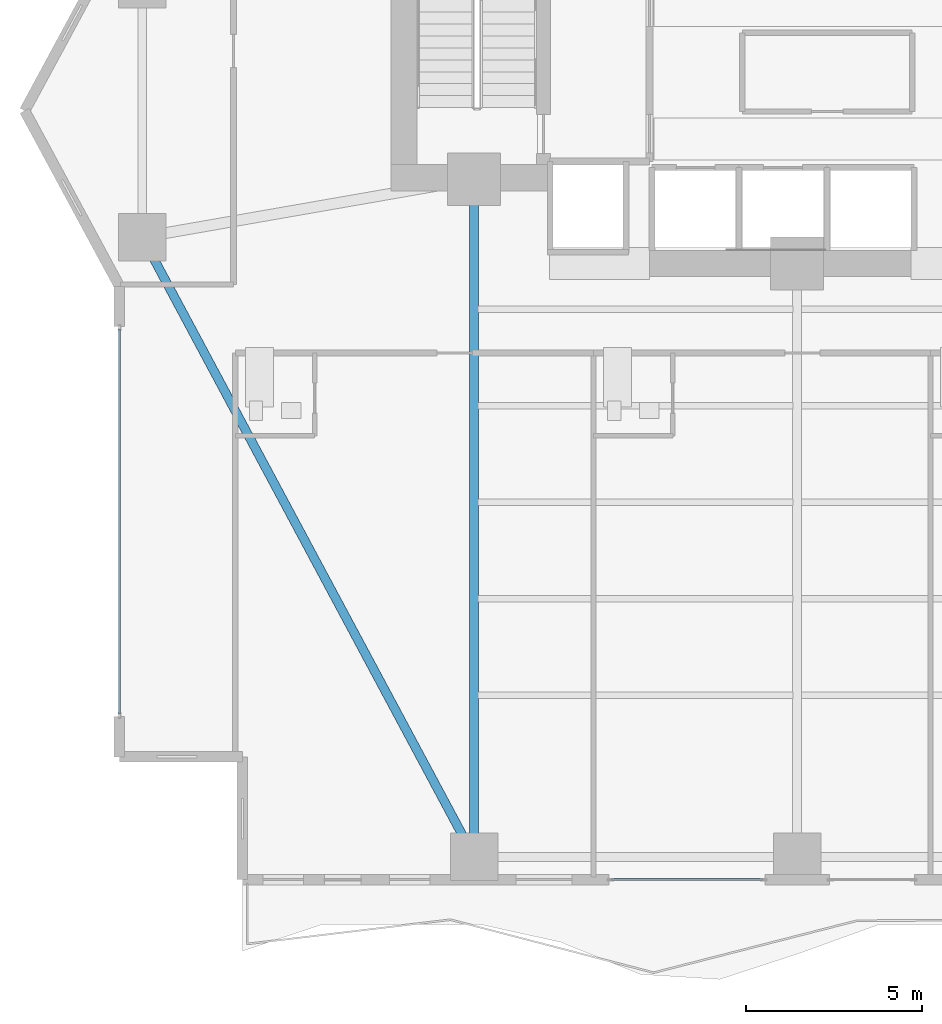
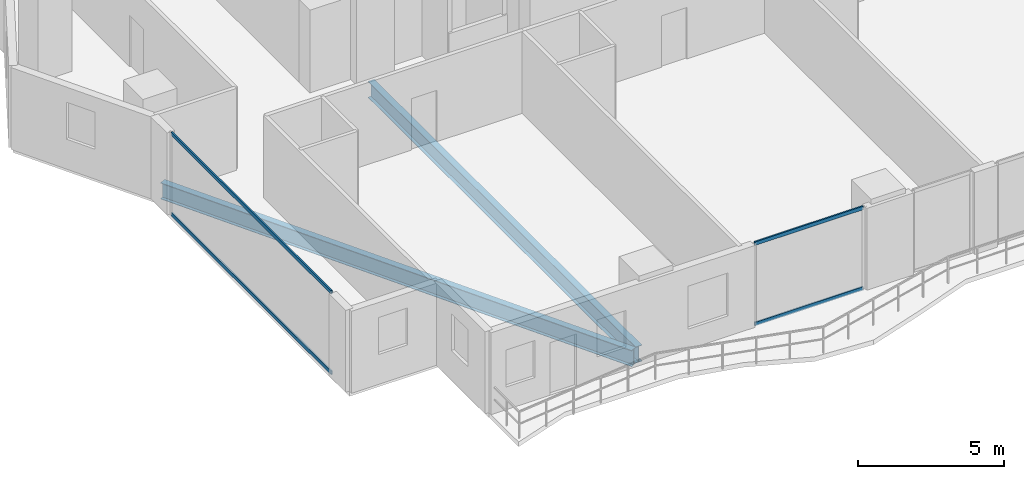
# One storey, part 3 of 28: 4 members, 2 beams, 2 elements without a shape of their own.
"""IFC4 building model written with IfcOpenShell, lengths in metres."""

from ifc_helpers import new_model, si_unit, direction, frame, origin, origin_2d, place, context, subcontext, project, spatial, hollow_rectangle, i_section, extrude, material, layer, layer_set, material_profile, profile_set, type_object, element, aggregate, save


model = new_model("IFC4")

# Units and contexts
model_context = context("Model", 3, precision=1e-05, world=origin(), true_north=direction((0.0, 1.0)))
body_context = subcontext(model_context, "Body", "Model", "MODEL_VIEW")
ifc_project = project(units=[si_unit("LENGTHUNIT", "METRE"), si_unit("AREAUNIT", "SQUARE_METRE"), si_unit("VOLUMEUNIT", "CUBIC_METRE"), si_unit("PLANEANGLEUNIT", "RADIAN"), si_unit("MASSUNIT", "GRAM", prefix="KILO")], contexts=[model_context])

# Site, building, storey
site_placement = place(None, origin())
site = spatial("IfcSite", under=ifc_project, at=site_placement, CompositionType="ELEMENT")
building_placement = place(site_placement, origin())
building = spatial("IfcBuilding", under=site, at=building_placement, Name="Zuhayl Quay Hotel", CompositionType="ELEMENT")
storey_placement = place(building_placement, frame((0.0, 0.0, 143.10009765625)))
storey = spatial("IfcBuildingStorey", under=building, at=storey_placement, Name="L36", CompositionType="ELEMENT", Elevation=143.10009765625)

# Beams
ifc_material_1 = material(Name="Steel ASTM A992 Grade 50", Category="steel")
ifc_material_profile_1 = material_profile(ifc_material_1, i_section(OverallWidth=0.25390625, OverallDepth=0.68310546875, WebThickness=0.012451171875, FlangeThickness=0.018798828125, at=origin_2d()), Name="W27X94")
ifc_profile_set_1 = profile_set([ifc_material_profile_1], Name="Steel ASTM A992 Grade 50")
beam_type = type_object("IfcBeamType", Name="BM_B2_W27X94", PredefinedType="BEAM", material=ifc_profile_set_1)
beam_1_placement = place(storey_placement, frame((-23.013916015625, 2.459228515625, -0.5615234375), z_axis=(0.472017301959, -0.88158928456, 0.0), x_axis=(0.88158928456, 0.472017301959, 0.0)))
element("IfcBeam", 1, at=beam_1_placement, inside=storey, type_object=beam_type, Name="L36 Floor Beam RG_L36_12", PredefinedType="BEAM", context=body_context, shape_type="SweptSolid", body=[
    extrude(i_section(OverallWidth=0.25390625, OverallDepth=0.68310546875, WebThickness=0.012451171875, FlangeThickness=0.018798828125, at=origin_2d()), origin(), (0.0, 0.0, 1.0), 19.0205078125),
])
beam_2_placement = place(storey_placement, frame((-13.800048828125, -14.25, -0.5615234375), z_axis=(0.0, 1.0, 0.0), x_axis=(-1.0, 0.0, 0.0)))
element("IfcBeam", 2, at=beam_2_placement, inside=storey, type_object=beam_type, Name="L36 Floor Beam FG_S_L36_1", PredefinedType="BEAM", context=body_context, shape_type="SweptSolid", body=[
    extrude(i_section(OverallWidth=0.25390625, OverallDepth=0.68310546875, WebThickness=0.012451171875, FlangeThickness=0.018798828125, at=origin_2d()), origin(), (0.0, 0.0, 1.0), 18.35009765625),
])

# Curtain wall, members
ifc_material_2 = material(Name="Anodised Aluminium 6063-T6", Category="aluminium")
ifc_layer = layer(ifc_material_2, 0.179931640625, Name="Anodised Aluminium 6063-T6", Category="aluminium")
ifc_layer_set = layer_set([ifc_layer], Name="Anodised Aluminium 6063-T6")
curtain_wall_type = type_object("IfcCurtainWallType", Name="CW_SYS_Z2", PredefinedType="USERDEFINED", material=ifc_layer_set)
curtain_wall_1_placement = place(storey_placement, origin())
curtain_wall_1 = element("IfcCurtainWall", 3, at=curtain_wall_1_placement, inside=storey, type_object=curtain_wall_type, Name="L36 Curtain Wall ENV_L36_E02_CW1", ObjectType="UNITISED CURTAIN WALL", PredefinedType="USERDEFINED")
ifc_material_3 = material(Name="Black-anodised aluminium 6063-T6", Category="aluminium")
ifc_material_profile_2 = material_profile(ifc_material_3, hollow_rectangle(XDim=0.06005859375, YDim=0.14990234375, WallThickness=0.00341796875, at=origin_2d()), Name="ALU150X60")
ifc_profile_set_2 = profile_set([ifc_material_profile_2], Name="Black-anodised aluminium 6063-T6")
member_type = type_object("IfcMemberType", Name="MB_CW_TRN_150", PredefinedType="USERDEFINED", material=ifc_profile_set_2)
member_1_placement = place(storey_placement, frame((-23.89990234375, -10.68505859375, 0.02978515625), z_axis=(0.0, 1.0, 0.0), x_axis=(-1.0, 0.0, 0.0)))
member_1 = element("IfcMember", 4, at=member_1_placement, type_object=member_type, Name="CW-Z2 transom 1.1", ObjectType="TRANSOM", PredefinedType="USERDEFINED", context=body_context, shape_type="SweptSolid", body=[
    extrude(hollow_rectangle(XDim=0.06005859375, YDim=0.14990234375, WallThickness=0.00341796875, at=origin_2d()), origin(), (0.0, 0.0, 1.0), 10.969970703125),
])
member_2_placement = place(storey_placement, frame((-23.89990234375, -10.68505859375, 3.39990234375), z_axis=(0.0, 1.0, 0.0), x_axis=(-1.0, 0.0, 0.0)))
member_2 = element("IfcMember", 5, at=member_2_placement, type_object=member_type, Name="CW-Z2 transom 1.2", ObjectType="TRANSOM", PredefinedType="USERDEFINED", context=body_context, shape_type="SweptSolid", body=[
    extrude(hollow_rectangle(XDim=0.06005859375, YDim=0.14990234375, WallThickness=0.00341796875, at=origin_2d()), origin(), (0.0, 0.0, 1.0), 10.969970703125),
])
aggregate(curtain_wall_1, [member_1, member_2])

curtain_wall_2_placement = place(storey_placement, origin())
curtain_wall_2 = element("IfcCurtainWall", 6, at=curtain_wall_2_placement, inside=storey, type_object=curtain_wall_type, Name="L36 Curtain Wall ENV_L36_S_CW6", ObjectType="UNITISED CURTAIN WALL", PredefinedType="USERDEFINED")
member_3_placement = place(storey_placement, frame((-5.5849609375, -15.39990234375, 0.02978515625), z_axis=(-1.0, 0.0, 0.0), x_axis=(0.0, -1.0, 0.0)))
member_3 = element("IfcMember", 7, at=member_3_placement, type_object=member_type, Name="CW-Z2 transom 1.1", ObjectType="TRANSOM", PredefinedType="USERDEFINED", context=body_context, shape_type="SweptSolid", body=[
    extrude(hollow_rectangle(XDim=0.06005859375, YDim=0.14990234375, WallThickness=0.00341796875, at=origin_2d()), origin(), (0.0, 0.0, 1.0), 4.300048828125),
])
member_4_placement = place(storey_placement, frame((-5.5849609375, -15.39990234375, 3.39990234375), z_axis=(-1.0, 0.0, 0.0), x_axis=(0.0, -1.0, 0.0)))
member_4 = element("IfcMember", 8, at=member_4_placement, type_object=member_type, Name="CW-Z2 transom 1.2", ObjectType="TRANSOM", PredefinedType="USERDEFINED", context=body_context, shape_type="SweptSolid", body=[
    extrude(hollow_rectangle(XDim=0.06005859375, YDim=0.14990234375, WallThickness=0.00341796875, at=origin_2d()), origin(), (0.0, 0.0, 1.0), 4.300048828125),
])
aggregate(curtain_wall_2, [member_3, member_4])

save(model, "model.ifc")
